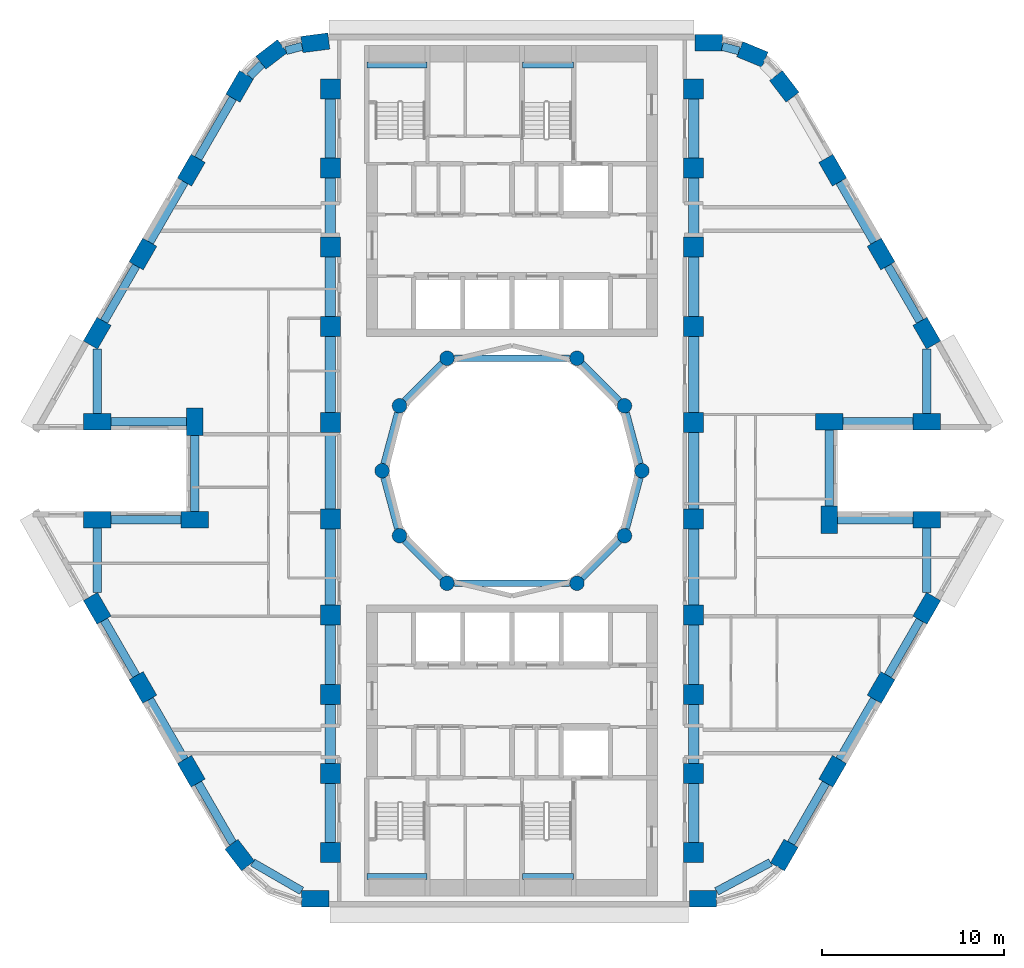
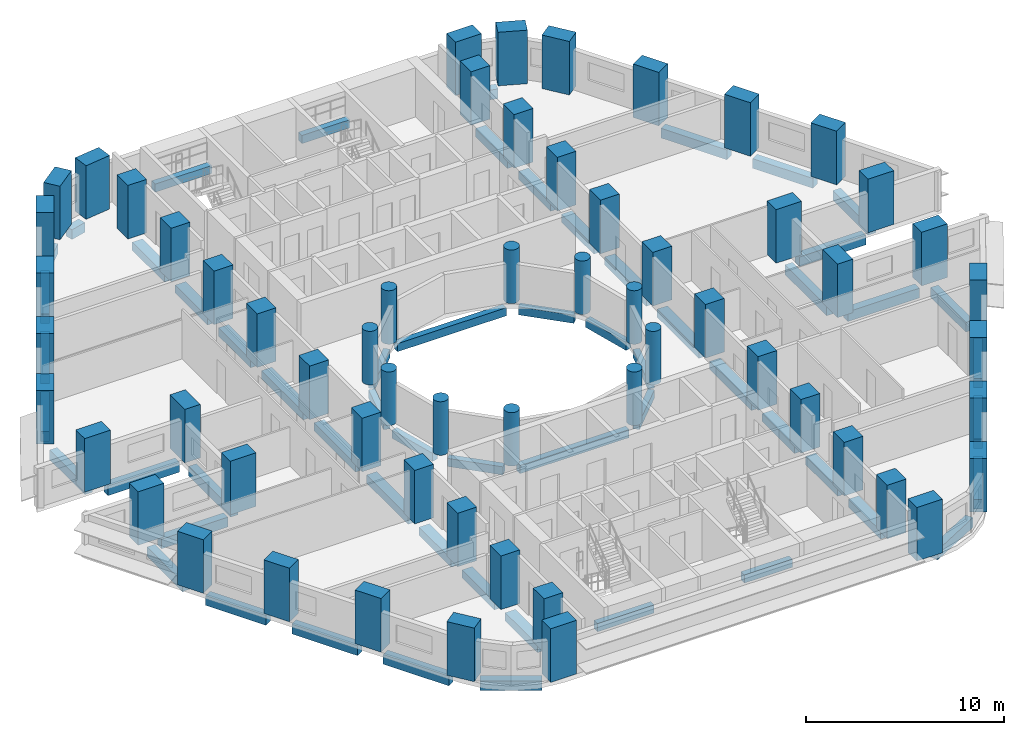
# One storey, part 1 of 12: 60 columns, 58 beams.
"""IFC4 building model written with IfcOpenShell, lengths in metres."""

from ifc_helpers import new_model, si_unit, direction, frame, origin, origin_2d, place, context, subcontext, project, spatial, rectangle, circle, extrude, material, material_profile, profile_set, type_object, element, save


model = new_model("IFC4")

# Units and contexts
model_context = context("Model", 3, precision=1e-05, world=origin(), true_north=direction((0.0, 1.0)))
body_context = subcontext(model_context, "Body", "Model", "MODEL_VIEW")
ifc_project = project(units=[si_unit("LENGTHUNIT", "METRE"), si_unit("AREAUNIT", "SQUARE_METRE"), si_unit("VOLUMEUNIT", "CUBIC_METRE"), si_unit("PLANEANGLEUNIT", "RADIAN"), si_unit("MASSUNIT", "GRAM", prefix="KILO")], contexts=[model_context])

# Site, building, storey
site_placement = place(None, origin())
site = spatial("IfcSite", under=ifc_project, at=site_placement, CompositionType="ELEMENT")
building_placement = place(site_placement, origin())
building = spatial("IfcBuilding", under=site, at=building_placement, Name="Nakaniwa Court", CompositionType="ELEMENT")
storey_placement = place(building_placement, frame((0.0, 0.0, 57.89990234375)))
storey = spatial("IfcBuildingStorey", under=building, at=storey_placement, Name="L15", CompositionType="ELEMENT", Elevation=57.89990234375)

# Columns
ifc_material_1 = material(Name="Concrete C100/115", Category="concrete")
ifc_material_profile_1 = material_profile(ifc_material_1, rectangle(XDim=1.10009765625, YDim=1.10009765625, at=origin_2d()), Name="Concrete C100/115 RC 1100x1100 spine column")
ifc_profile_set_1 = profile_set([ifc_material_profile_1], Name="Concrete C100/115")
column_type_1 = type_object("IfcColumnType", Name="Concrete C100/115 RC 1100x1100 spine column", PredefinedType="COLUMN", material=ifc_profile_set_1)
for number, where, z_axis, x_axis, name in (
    (1, (90.0, 59.0, 0.0), (0.0, 0.0, 1.0), (0.0, 1.0, 0.0), "COLUMN CS-01"),
    (2, (90.0, 63.35009765625, 0.0), (0.0, 0.0, 1.0), (0.0, 1.0, 0.0), "COLUMN CS-02"),
    (3, (90.0, 67.699951171875, 0.0), (0.0, 0.0, 1.0), (0.0, 1.0, 0.0), "COLUMN CS-03"),
    (4, (90.0, 72.050048828125, 0.0), (0.0, 0.0, 1.0), (0.0, 1.0, 0.0), "COLUMN CS-04"),
    (5, (90.0, 77.35009765625, 0.0), (0.0, 0.0, 1.0), (0.0, 1.0, 0.0), "COLUMN CS-05"),
    (6, (90.0, 82.64990234375, 0.0), (0.0, 0.0, 1.0), (0.0, 1.0, 0.0), "COLUMN CS-06"),
    (7, (90.0, 87.949951171875, 0.0), (0.0, 0.0, 1.0), (0.0, 1.0, 0.0), "COLUMN CS-07"),
    (8, (90.0, 92.300048828125, 0.0), (0.0, 0.0, 1.0), (0.0, 1.0, 0.0), "COLUMN CS-08"),
    (9, (90.0, 96.64990234375, 0.0), (0.0, 0.0, 1.0), (0.0, 1.0, 0.0), "COLUMN CS-09"),
    (10, (90.0, 101.0, 0.0), (0.0, 0.0, 1.0), (0.0, 1.0, 0.0), "COLUMN CS-10"),
    (11, (70.0, 101.0, 0.0), (0.0, 0.0, 1.0), (0.0, -1.0, 0.0), "COLUMN CS-11"),
    (12, (70.0, 96.64990234375, 0.0), (0.0, 0.0, 1.0), (0.0, -1.0, 0.0), "COLUMN CS-12"),
    (13, (70.0, 92.300048828125, 0.0), (0.0, 0.0, 1.0), (0.0, -1.0, 0.0), "COLUMN CS-13"),
    (14, (70.0, 87.949951171875, 0.0), (0.0, 0.0, 1.0), (0.0, -1.0, 0.0), "COLUMN CS-14"),
    (15, (70.0, 82.64990234375, 0.0), (0.0, 0.0, 1.0), (0.0, -1.0, 0.0), "COLUMN CS-15"),
    (16, (70.0, 77.35009765625, 0.0), (0.0, 0.0, 1.0), (0.0, -1.0, 0.0), "COLUMN CS-16"),
    (17, (70.0, 72.050048828125, 0.0), (0.0, 0.0, 1.0), (0.0, -1.0, 0.0), "COLUMN CS-17"),
    (18, (70.0, 67.699951171875, 0.0), (0.0, 0.0, 1.0), (0.0, -1.0, 0.0), "COLUMN CS-18"),
    (19, (70.0, 63.35009765625, 0.0), (0.0, 0.0, 1.0), (0.0, -1.0, 0.0), "COLUMN CS-19"),
    (20, (70.0, 59.0, 0.0), (0.0, 0.0, 1.0), (0.0, -1.0, 0.0), "COLUMN CS-20"),
):
    element("IfcColumn", number, at=place(storey_placement, frame(where, z_axis=z_axis, x_axis=x_axis)), inside=storey, type_object=column_type_1, Name=name, PredefinedType="COLUMN", context=body_context, shape_type="SweptSolid", body=[
        extrude(rectangle(XDim=1.10009765625, YDim=1.10009765625, at=origin_2d()), origin(), (0.0, 0.0, 1.0), 3.300048828125),
    ])
ifc_material_profile_2 = material_profile(ifc_material_1, rectangle(XDim=1.5, YDim=0.89990234375, at=origin_2d()), Name="Concrete C100/115 RC 1500x900 perimeter column")
ifc_profile_set_2 = profile_set([ifc_material_profile_2], Name="Concrete C100/115")
column_type_2 = type_object("IfcColumnType", Name="Concrete C100/115 RC 1500x900 perimeter column", PredefinedType="COLUMN", material=ifc_profile_set_2)
for number, where, z_axis, x_axis, name in (
    (21, (69.17529296875, 103.550048828125, 0.0), (0.0, 0.0, 1.0), (-0.991442583111, -0.130543496177, 0.0), "COLUMN CO-01"),
    (22, (66.772705078125, 102.91015625, 0.0), (0.0, 0.0, 1.0), (-0.793363965062, -0.608747582288, 0.0), "COLUMN CO-02"),
    (23, (65.017578125, 101.1494140625, 0.0), (0.0, 0.0, 1.0), (-0.5, -0.866025403784, 0.0), "COLUMN CO-03"),
    (24, (62.3544921875, 96.537109375, 0.0), (0.0, 0.0, 1.0), (-0.5, -0.866025403784, 0.0), "COLUMN CO-04"),
    (25, (59.691650390625, 91.9248046875, 0.0), (0.0, 0.0, 1.0), (-0.5, -0.866025403784, 0.0), "COLUMN CO-05"),
    (26, (57.177001953125, 87.569580078125, 0.0), (0.0, 0.0, 1.0), (-0.5, -0.866025403784, 0.0), "COLUMN CO-06"),
    (27, (57.177001953125, 82.699951171875, 0.0), (0.0, 0.0, 1.0), (1.0, 0.0, 0.0), "COLUMN CO-08"),
    (28, (62.54150390625, 82.699951171875, 0.0), (0.0, 0.0, 1.0), (0.0, -1.0, 0.0), "COLUMN CO-09"),
    (29, (62.54150390625, 77.300048828125, 0.0), (0.0, 0.0, 1.0), (-1.0, 0.0, 0.0), "COLUMN CO-10"),
    (30, (57.177001953125, 77.300048828125, 0.0), (0.0, 0.0, 1.0), (-1.0, 0.0, 0.0), "COLUMN CO-11"),
    (31, (57.177001953125, 72.430419921875, 0.0), (0.0, 0.0, 1.0), (0.5, -0.866025403784, 0.0), "COLUMN CO-13"),
    (32, (59.691650390625, 68.0751953125, 0.0), (0.0, 0.0, 1.0), (0.5, -0.866025403784, 0.0), "COLUMN CO-14"),
    (33, (62.3544921875, 63.462890625, 0.0), (0.0, 0.0, 1.0), (0.5, -0.866025403784, 0.0), "COLUMN CO-15"),
    (34, (65.017578125, 58.8505859375, 0.0), (0.0, 0.0, 1.0), (0.608761429009, -0.793353340291, 0.0), "COLUMN CO-16"),
    (35, (69.17529296875, 56.449951171875, 0.0), (0.0, 0.0, 1.0), (1.0, 0.0, 0.0), "COLUMN CO-17"),
    (36, (90.507080078125, 56.449951171875, 0.0), (0.0, 0.0, 1.0), (1.0, 0.0, 0.0), "COLUMN CO-21"),
    (37, (94.982421875, 58.8505859375, 0.0), (0.0, 0.0, 1.0), (0.5, 0.866025403784, 0.0), "COLUMN CO-22"),
    (38, (97.6455078125, 63.462890625, 0.0), (0.0, 0.0, 1.0), (0.5, 0.866025403784, 0.0), "COLUMN CO-23"),
    (39, (100.308349609375, 68.0751953125, 0.0), (0.0, 0.0, 1.0), (0.5, 0.866025403784, 0.0), "COLUMN CO-24"),
    (40, (102.822998046875, 72.430419921875, 0.0), (0.0, 0.0, 1.0), (0.5, 0.866025403784, 0.0), "COLUMN CO-25"),
    (41, (102.822998046875, 77.300048828125, 0.0), (0.0, 0.0, 1.0), (-1.0, 0.0, 0.0), "COLUMN CO-27"),
    (42, (97.45849609375, 77.300048828125, 0.0), (0.0, 0.0, 1.0), (0.0, 1.0, 0.0), "COLUMN CO-28"),
    (43, (97.45849609375, 82.699951171875, 0.0), (0.0, 0.0, 1.0), (1.0, 0.0, 0.0), "COLUMN CO-29"),
    (44, (102.822998046875, 82.699951171875, 0.0), (0.0, 0.0, 1.0), (1.0, 0.0, 0.0), "COLUMN CO-30"),
    (45, (102.822998046875, 87.569580078125, 0.0), (0.0, 0.0, 1.0), (-0.5, 0.866025403784, 0.0), "COLUMN CO-32"),
    (46, (100.308349609375, 91.9248046875, 0.0), (0.0, 0.0, 1.0), (-0.5, 0.866025403784, 0.0), "COLUMN CO-33"),
    (47, (97.6455078125, 96.537109375, 0.0), (0.0, 0.0, 1.0), (-0.5, 0.866025403784, 0.0), "COLUMN CO-34"),
    (48, (94.982421875, 101.1494140625, 0.0), (0.0, 0.0, 1.0), (-0.608761429009, 0.793353340291, 0.0), "COLUMN CO-35"),
    (49, (93.227294921875, 102.91015625, 0.0), (0.0, 0.0, 1.0), (-0.923879532511, 0.382683432365, 0.0), "COLUMN CO-36"),
    (50, (90.82470703125, 103.550048828125, 0.0), (0.0, 0.0, 1.0), (-1.0, 0.0, 0.0), "COLUMN CO-37"),
):
    element("IfcColumn", number, at=place(storey_placement, frame(where, z_axis=z_axis, x_axis=x_axis)), inside=storey, type_object=column_type_2, Name=name, PredefinedType="COLUMN", context=body_context, shape_type="SweptSolid", body=[
        extrude(rectangle(XDim=1.5, YDim=0.89990234375, at=origin_2d()), origin(), (0.0, 0.0, 1.0), 3.300048828125),
    ])
ifc_material_profile_3 = material_profile(ifc_material_1, circle(Radius=0.39990234375, at=origin_2d()), Name="Concrete C100/115 RC D800 inner ring column")
ifc_profile_set_3 = profile_set([ifc_material_profile_3], Name="Concrete C100/115")
column_type_3 = type_object("IfcColumnType", Name="Concrete C100/115 RC D800 inner ring column", PredefinedType="COLUMN", material=ifc_profile_set_3)
for number, where, z_axis, x_axis, name in (
    (51, (87.14990234375, 80.0, 0.0), (0.0, 0.0, 1.0), (0.0, 1.0, 0.0), "COLUMN CI-01"),
    (52, (86.192138671875, 83.574951171875, 0.0), (0.0, 0.0, 1.0), (-0.5, 0.866025403784, 0.0), "COLUMN CI-02"),
    (53, (83.574951171875, 86.192138671875, 0.0), (0.0, 0.0, 1.0), (-0.866025403784, 0.5, 0.0), "COLUMN CI-03"),
    (54, (76.425048828125, 86.192138671875, 0.0), (0.0, 0.0, 1.0), (-0.866025403784, -0.5, 0.0), "COLUMN CI-05"),
    (55, (73.807861328125, 83.574951171875, 0.0), (0.0, 0.0, 1.0), (-0.5, -0.866025403784, 0.0), "COLUMN CI-06"),
    (56, (72.85009765625, 80.0, 0.0), (0.0, 0.0, 1.0), (0.0, -1.0, 0.0), "COLUMN CI-07"),
    (57, (73.807861328125, 76.425048828125, 0.0), (0.0, 0.0, 1.0), (0.5, -0.866025403784, 0.0), "COLUMN CI-08"),
    (58, (76.425048828125, 73.807861328125, 0.0), (0.0, 0.0, 1.0), (0.866025403784, -0.5, 0.0), "COLUMN CI-09"),
    (59, (83.574951171875, 73.807861328125, 0.0), (0.0, 0.0, 1.0), (0.866025403784, 0.5, 0.0), "COLUMN CI-11"),
    (60, (86.192138671875, 76.425048828125, 0.0), (0.0, 0.0, 1.0), (0.5, 0.866025403784, 0.0), "COLUMN CI-12"),
):
    element("IfcColumn", number, at=place(storey_placement, frame(where, z_axis=z_axis, x_axis=x_axis)), inside=storey, type_object=column_type_3, Name=name, PredefinedType="COLUMN", context=body_context, shape_type="SweptSolid", body=[
        extrude(circle(Radius=0.39990234375, at=origin_2d()), origin(), (0.0, 0.0, 1.0), 3.300048828125),
    ])

# Beams
ifc_material_profile_4 = material_profile(ifc_material_1, rectangle(XDim=0.35009765625, YDim=0.5, at=origin_2d()), Name="Concrete C100/115 RC 350x500 ring beam")
ifc_profile_set_4 = profile_set([ifc_material_profile_4], Name="Concrete C100/115")
beam_type_1 = type_object("IfcBeamType", Name="Concrete C100/115 RC 350x500 ring beam", PredefinedType="BEAM", material=ifc_profile_set_4)
beam_1_placement = place(storey_placement, frame((87.04638671875, 80.386474609375, -0.52490234375), z_axis=(-0.258778150207, 0.965936783115, 0.0), x_axis=(-0.965936783115, -0.258778150207, 0.0)))
element("IfcBeam", 61, at=beam_1_placement, inside=storey, type_object=beam_type_1, Name="RING BEAM", PredefinedType="BEAM", context=body_context, shape_type="SweptSolid", body=[
    extrude(rectangle(XDim=0.35009765625, YDim=0.5, at=origin_2d()), origin(), (0.0, 0.0, 1.0), 2.901123046875),
])
beam_2_placement = place(storey_placement, frame((85.9091796875, 83.85791015625, -0.52490234375), z_axis=(-0.707106781187, 0.707106781187, 0.0), x_axis=(-0.707106781187, -0.707106781187, 0.0)))
element("IfcBeam", 62, at=beam_2_placement, inside=storey, type_object=beam_type_1, Name="RING BEAM", PredefinedType="BEAM", context=body_context, shape_type="SweptSolid", body=[
    extrude(rectangle(XDim=0.35009765625, YDim=0.5, at=origin_2d()), origin(), (0.0, 0.0, 1.0), 2.90087890625),
])
beam_3_placement = place(storey_placement, frame((83.175048828125, 86.192138671875, -0.52490234375), z_axis=(-1.0, 0.0, 0.0), x_axis=(0.0, -1.0, 0.0)))
element("IfcBeam", 63, at=beam_3_placement, inside=storey, type_object=beam_type_1, Name="RING BEAM", PredefinedType="BEAM", context=body_context, shape_type="SweptSolid", body=[
    extrude(rectangle(XDim=0.35009765625, YDim=0.5, at=origin_2d()), origin(), (0.0, 0.0, 1.0), 6.35009765625),
])
beam_4_placement = place(storey_placement, frame((76.14208984375, 85.9091796875, -0.52490234375), z_axis=(-0.707106781187, -0.707106781187, 0.0), x_axis=(0.707106781187, -0.707106781187, 0.0)))
element("IfcBeam", 64, at=beam_4_placement, inside=storey, type_object=beam_type_1, Name="RING BEAM", PredefinedType="BEAM", context=body_context, shape_type="SweptSolid", body=[
    extrude(rectangle(XDim=0.35009765625, YDim=0.5, at=origin_2d()), origin(), (0.0, 0.0, 1.0), 2.90087890625),
])
for number, where, z_axis, x_axis, name in (
    (65, (73.704345703125, 83.188720703125, -0.52490234375), (-0.258778150207, -0.965936783115, 0.0), (0.965936783115, -0.258778150207, 0.0), "RING BEAM"),
    (66, (72.95361328125, 79.613525390625, -0.52490234375), (0.258778150207, -0.965936783115, 0.0), (0.965936783115, 0.258778150207, 0.0), "RING BEAM"),
):
    element("IfcBeam", number, at=place(storey_placement, frame(where, z_axis=z_axis, x_axis=x_axis)), inside=storey, type_object=beam_type_1, Name=name, PredefinedType="BEAM", context=body_context, shape_type="SweptSolid", body=[
        extrude(rectangle(XDim=0.35009765625, YDim=0.5, at=origin_2d()), origin(), (0.0, 0.0, 1.0), 2.901123046875),
    ])
beam_5_placement = place(storey_placement, frame((74.0908203125, 76.14208984375, -0.52490234375), z_axis=(0.707106781187, -0.707106781187, 0.0), x_axis=(0.707106781187, 0.707106781187, 0.0)))
element("IfcBeam", 67, at=beam_5_placement, inside=storey, type_object=beam_type_1, Name="RING BEAM", PredefinedType="BEAM", context=body_context, shape_type="SweptSolid", body=[
    extrude(rectangle(XDim=0.35009765625, YDim=0.5, at=origin_2d()), origin(), (0.0, 0.0, 1.0), 2.90087890625),
])
beam_6_placement = place(storey_placement, frame((76.824951171875, 73.807861328125, -0.52490234375), z_axis=(1.0, 0.0, 0.0), x_axis=(0.0, 1.0, 0.0)))
element("IfcBeam", 68, at=beam_6_placement, inside=storey, type_object=beam_type_1, Name="RING BEAM", PredefinedType="BEAM", context=body_context, shape_type="SweptSolid", body=[
    extrude(rectangle(XDim=0.35009765625, YDim=0.5, at=origin_2d()), origin(), (0.0, 0.0, 1.0), 6.35009765625),
])
beam_7_placement = place(storey_placement, frame((83.85791015625, 74.0908203125, -0.52490234375), z_axis=(0.707106781187, 0.707106781187, 0.0), x_axis=(-0.707106781187, 0.707106781187, 0.0)))
element("IfcBeam", 69, at=beam_7_placement, inside=storey, type_object=beam_type_1, Name="RING BEAM", PredefinedType="BEAM", context=body_context, shape_type="SweptSolid", body=[
    extrude(rectangle(XDim=0.35009765625, YDim=0.5, at=origin_2d()), origin(), (0.0, 0.0, 1.0), 2.90087890625),
])
beam_8_placement = place(storey_placement, frame((86.295654296875, 76.811279296875, -0.52490234375), z_axis=(0.258778150207, 0.965936783115, 0.0), x_axis=(-0.965936783115, 0.258778150207, 0.0)))
element("IfcBeam", 70, at=beam_8_placement, inside=storey, type_object=beam_type_1, Name="RING BEAM", PredefinedType="BEAM", context=body_context, shape_type="SweptSolid", body=[
    extrude(rectangle(XDim=0.35009765625, YDim=0.5, at=origin_2d()), origin(), (0.0, 0.0, 1.0), 2.901123046875),
])
ifc_material_profile_5 = material_profile(ifc_material_1, rectangle(XDim=0.449951171875, YDim=0.60009765625, at=origin_2d()), Name="Concrete C100/115 RC 450x600 spandrel beam")
ifc_profile_set_5 = profile_set([ifc_material_profile_5], Name="Concrete C100/115")
beam_type_2 = type_object("IfcBeamType", Name="Concrete C100/115 RC 450x600 spandrel beam", PredefinedType="BEAM", material=ifc_profile_set_5)
beam_9_placement = place(storey_placement, frame((68.444580078125, 103.35546875, -0.574951171875), z_axis=(-0.966287893493, -0.25746399144, 0.0), x_axis=(0.25746399144, -0.966287893493, 0.0)))
element("IfcBeam", 71, at=beam_9_placement, inside=storey, type_object=beam_type_2, Name="SPANDREL BEAM", PredefinedType="BEAM", context=body_context, shape_type="SweptSolid", body=[
    extrude(rectangle(XDim=0.449951171875, YDim=0.60009765625, at=origin_2d()), origin(), (0.0, 0.0, 1.0), 0.91796875),
])
beam_10_placement = place(storey_placement, frame((66.238525390625, 102.374267578125, -0.574951171875), z_axis=(-0.706081618928, -0.708130459317, 0.0), x_axis=(0.708130459317, -0.706081618928, 0.0)))
element("IfcBeam", 72, at=beam_10_placement, inside=storey, type_object=beam_type_2, Name="SPANDREL BEAM", PredefinedType="BEAM", context=body_context, shape_type="SweptSolid", body=[
    extrude(rectangle(XDim=0.449951171875, YDim=0.60009765625, at=origin_2d()), origin(), (0.0, 0.0, 1.0), 0.953369140625),
])
beam_11_placement = place(storey_placement, frame((64.642578125, 100.5, -0.574951171875), z_axis=(-0.500009674092, -0.866019818373, 0.0), x_axis=(0.866019818373, -0.500009674092, 0.0)))
element("IfcBeam", 73, at=beam_11_placement, inside=storey, type_object=beam_type_2, Name="SPANDREL BEAM", PredefinedType="BEAM", context=body_context, shape_type="SweptSolid", body=[
    extrude(rectangle(XDim=0.449951171875, YDim=0.60009765625, at=origin_2d()), origin(), (0.0, 0.0, 1.0), 3.826171875),
])
beam_12_placement = place(storey_placement, frame((61.9794921875, 95.8876953125, -0.574951171875), z_axis=(-0.499961815444, -0.866047448526, 0.0), x_axis=(0.866047448526, -0.499961815444, 0.0)))
element("IfcBeam", 74, at=beam_12_placement, inside=storey, type_object=beam_type_2, Name="SPANDREL BEAM", PredefinedType="BEAM", context=body_context, shape_type="SweptSolid", body=[
    extrude(rectangle(XDim=0.449951171875, YDim=0.60009765625, at=origin_2d()), origin(), (0.0, 0.0, 1.0), 3.825927734375),
])
beam_13_placement = place(storey_placement, frame((59.316650390625, 91.275146484375, -0.574951171875), z_axis=(-0.500067800301, -0.865986255723, 0.0), x_axis=(0.865986255723, -0.500067800301, 0.0)))
element("IfcBeam", 75, at=beam_13_placement, inside=storey, type_object=beam_type_2, Name="SPANDREL BEAM", PredefinedType="BEAM", context=body_context, shape_type="SweptSolid", body=[
    extrude(rectangle(XDim=0.449951171875, YDim=0.60009765625, at=origin_2d()), origin(), (0.0, 0.0, 1.0), 3.52880859375),
])
beam_14_placement = place(storey_placement, frame((57.177001953125, 86.70361328125, -0.574951171875), z_axis=(0.0, -1.0, 0.0), x_axis=(1.0, 0.0, 0.0)))
element("IfcBeam", 76, at=beam_14_placement, inside=storey, type_object=beam_type_2, Name="SPANDREL BEAM", PredefinedType="BEAM", context=body_context, shape_type="SweptSolid", body=[
    extrude(rectangle(XDim=0.449951171875, YDim=0.60009765625, at=origin_2d()), origin(), (0.0, 0.0, 1.0), 3.5537109375),
])
beam_15_placement = place(storey_placement, frame((57.927001953125, 82.699951171875, -0.574951171875), z_axis=(1.0, 0.0, 0.0), x_axis=(0.0, 1.0, 0.0)))
element("IfcBeam", 77, at=beam_15_placement, inside=storey, type_object=beam_type_2, Name="SPANDREL BEAM", PredefinedType="BEAM", context=body_context, shape_type="SweptSolid", body=[
    extrude(rectangle(XDim=0.449951171875, YDim=0.60009765625, at=origin_2d()), origin(), (0.0, 0.0, 1.0), 4.16455078125),
])
beam_16_placement = place(storey_placement, frame((62.54150390625, 81.949951171875, -0.574951171875), z_axis=(0.0, -1.0, 0.0), x_axis=(1.0, 0.0, 0.0)))
element("IfcBeam", 78, at=beam_16_placement, inside=storey, type_object=beam_type_2, Name="SPANDREL BEAM", PredefinedType="BEAM", context=body_context, shape_type="SweptSolid", body=[
    extrude(rectangle(XDim=0.449951171875, YDim=0.60009765625, at=origin_2d()), origin(), (0.0, 0.0, 1.0), 4.199951171875),
])
beam_17_placement = place(storey_placement, frame((61.79150390625, 77.300048828125, -0.574951171875), z_axis=(-1.0, 0.0, 0.0), x_axis=(0.0, -1.0, 0.0)))
element("IfcBeam", 79, at=beam_17_placement, inside=storey, type_object=beam_type_2, Name="SPANDREL BEAM", PredefinedType="BEAM", context=body_context, shape_type="SweptSolid", body=[
    extrude(rectangle(XDim=0.449951171875, YDim=0.60009765625, at=origin_2d()), origin(), (0.0, 0.0, 1.0), 3.864501953125),
])
beam_18_placement = place(storey_placement, frame((57.177001953125, 76.85009765625, -0.574951171875), z_axis=(0.0, -1.0, 0.0), x_axis=(1.0, 0.0, 0.0)))
element("IfcBeam", 80, at=beam_18_placement, inside=storey, type_object=beam_type_2, Name="SPANDREL BEAM", PredefinedType="BEAM", context=body_context, shape_type="SweptSolid", body=[
    extrude(rectangle(XDim=0.449951171875, YDim=0.60009765625, at=origin_2d()), origin(), (0.0, 0.0, 1.0), 3.5537109375),
])
beam_19_placement = place(storey_placement, frame((57.552001953125, 71.78076171875, -0.574951171875), z_axis=(0.500067800301, -0.865986255723, 0.0), x_axis=(0.865986255723, 0.500067800301, 0.0)))
element("IfcBeam", 81, at=beam_19_placement, inside=storey, type_object=beam_type_2, Name="SPANDREL BEAM", PredefinedType="BEAM", context=body_context, shape_type="SweptSolid", body=[
    extrude(rectangle(XDim=0.449951171875, YDim=0.60009765625, at=origin_2d()), origin(), (0.0, 0.0, 1.0), 3.52880859375),
])
beam_20_placement = place(storey_placement, frame((60.066650390625, 67.42578125, -0.574951171875), z_axis=(0.499961815444, -0.866047448526, 0.0), x_axis=(0.866047448526, 0.499961815444, 0.0)))
element("IfcBeam", 82, at=beam_20_placement, inside=storey, type_object=beam_type_2, Name="SPANDREL BEAM", PredefinedType="BEAM", context=body_context, shape_type="SweptSolid", body=[
    extrude(rectangle(XDim=0.449951171875, YDim=0.60009765625, at=origin_2d()), origin(), (0.0, 0.0, 1.0), 3.825927734375),
])
beam_21_placement = place(storey_placement, frame((62.7294921875, 62.8134765625, -0.574951171875), z_axis=(0.500023067617, -0.86601208528, 0.0), x_axis=(0.86601208528, 0.500023067617, 0.0)))
element("IfcBeam", 83, at=beam_21_placement, inside=storey, type_object=beam_type_2, Name="SPANDREL BEAM", PredefinedType="BEAM", context=body_context, shape_type="SweptSolid", body=[
    extrude(rectangle(XDim=0.449951171875, YDim=0.60009765625, at=origin_2d()), origin(), (0.0, 0.0, 1.0), 3.819580078125),
])
beam_22_placement = place(storey_placement, frame((65.720458984375, 58.444580078125, -0.574951171875), z_axis=(0.866041096587, -0.499972818284, 0.0), x_axis=(0.499972818284, 0.866041096587, 0.0)))
element("IfcBeam", 84, at=beam_22_placement, inside=storey, type_object=beam_type_2, Name="SPANDREL BEAM", PredefinedType="BEAM", context=body_context, shape_type="SweptSolid", body=[
    extrude(rectangle(XDim=0.449951171875, YDim=0.60009765625, at=origin_2d()), origin(), (0.0, 0.0, 1.0), 3.123291015625),
])
beam_23_placement = place(storey_placement, frame((91.257080078125, 56.852294921875, -0.574951171875), z_axis=(0.881234537383, 0.472679267711, 0.0), x_axis=(-0.472679267711, 0.881234537383, 0.0)))
element("IfcBeam", 85, at=beam_23_placement, inside=storey, type_object=beam_type_2, Name="SPANDREL BEAM", PredefinedType="BEAM", context=body_context, shape_type="SweptSolid", body=[
    extrude(rectangle(XDim=0.449951171875, YDim=0.60009765625, at=origin_2d()), origin(), (0.0, 0.0, 1.0), 3.373291015625),
])
beam_24_placement = place(storey_placement, frame((95.357421875, 59.5, -0.574951171875), z_axis=(0.500009674092, 0.866019818373, 0.0), x_axis=(-0.866019818373, 0.500009674092, 0.0)))
element("IfcBeam", 86, at=beam_24_placement, inside=storey, type_object=beam_type_2, Name="SPANDREL BEAM", PredefinedType="BEAM", context=body_context, shape_type="SweptSolid", body=[
    extrude(rectangle(XDim=0.449951171875, YDim=0.60009765625, at=origin_2d()), origin(), (0.0, 0.0, 1.0), 3.826171875),
])
beam_25_placement = place(storey_placement, frame((98.0205078125, 64.1123046875, -0.574951171875), z_axis=(0.499961815444, 0.866047448526, 0.0), x_axis=(-0.866047448526, 0.499961815444, 0.0)))
element("IfcBeam", 87, at=beam_25_placement, inside=storey, type_object=beam_type_2, Name="SPANDREL BEAM", PredefinedType="BEAM", context=body_context, shape_type="SweptSolid", body=[
    extrude(rectangle(XDim=0.449951171875, YDim=0.60009765625, at=origin_2d()), origin(), (0.0, 0.0, 1.0), 3.825927734375),
])
beam_26_placement = place(storey_placement, frame((100.683349609375, 68.724853515625, -0.574951171875), z_axis=(0.500067800301, 0.865986255723, 0.0), x_axis=(-0.865986255723, 0.500067800301, 0.0)))
element("IfcBeam", 88, at=beam_26_placement, inside=storey, type_object=beam_type_2, Name="SPANDREL BEAM", PredefinedType="BEAM", context=body_context, shape_type="SweptSolid", body=[
    extrude(rectangle(XDim=0.449951171875, YDim=0.60009765625, at=origin_2d()), origin(), (0.0, 0.0, 1.0), 3.52880859375),
])
beam_27_placement = place(storey_placement, frame((102.822998046875, 73.29638671875, -0.574951171875), z_axis=(0.0, 1.0, 0.0), x_axis=(-1.0, 0.0, 0.0)))
element("IfcBeam", 89, at=beam_27_placement, inside=storey, type_object=beam_type_2, Name="SPANDREL BEAM", PredefinedType="BEAM", context=body_context, shape_type="SweptSolid", body=[
    extrude(rectangle(XDim=0.449951171875, YDim=0.60009765625, at=origin_2d()), origin(), (0.0, 0.0, 1.0), 3.5537109375),
])
beam_28_placement = place(storey_placement, frame((102.072998046875, 77.300048828125, -0.574951171875), z_axis=(-1.0, 0.0, 0.0), x_axis=(0.0, -1.0, 0.0)))
element("IfcBeam", 90, at=beam_28_placement, inside=storey, type_object=beam_type_2, Name="SPANDREL BEAM", PredefinedType="BEAM", context=body_context, shape_type="SweptSolid", body=[
    extrude(rectangle(XDim=0.449951171875, YDim=0.60009765625, at=origin_2d()), origin(), (0.0, 0.0, 1.0), 4.16455078125),
])
beam_29_placement = place(storey_placement, frame((97.45849609375, 78.050048828125, -0.574951171875), z_axis=(0.0, 1.0, 0.0), x_axis=(-1.0, 0.0, 0.0)))
element("IfcBeam", 91, at=beam_29_placement, inside=storey, type_object=beam_type_2, Name="SPANDREL BEAM", PredefinedType="BEAM", context=body_context, shape_type="SweptSolid", body=[
    extrude(rectangle(XDim=0.449951171875, YDim=0.60009765625, at=origin_2d()), origin(), (0.0, 0.0, 1.0), 4.199951171875),
])
beam_30_placement = place(storey_placement, frame((98.20849609375, 82.699951171875, -0.574951171875), z_axis=(1.0, 0.0, 0.0), x_axis=(0.0, 1.0, 0.0)))
element("IfcBeam", 92, at=beam_30_placement, inside=storey, type_object=beam_type_2, Name="SPANDREL BEAM", PredefinedType="BEAM", context=body_context, shape_type="SweptSolid", body=[
    extrude(rectangle(XDim=0.449951171875, YDim=0.60009765625, at=origin_2d()), origin(), (0.0, 0.0, 1.0), 3.864501953125),
])
beam_31_placement = place(storey_placement, frame((102.822998046875, 83.14990234375, -0.574951171875), z_axis=(0.0, 1.0, 0.0), x_axis=(-1.0, 0.0, 0.0)))
element("IfcBeam", 93, at=beam_31_placement, inside=storey, type_object=beam_type_2, Name="SPANDREL BEAM", PredefinedType="BEAM", context=body_context, shape_type="SweptSolid", body=[
    extrude(rectangle(XDim=0.449951171875, YDim=0.60009765625, at=origin_2d()), origin(), (0.0, 0.0, 1.0), 3.5537109375),
])
beam_32_placement = place(storey_placement, frame((102.447998046875, 88.21923828125, -0.574951171875), z_axis=(-0.500067800301, 0.865986255723, 0.0), x_axis=(-0.865986255723, -0.500067800301, 0.0)))
element("IfcBeam", 94, at=beam_32_placement, inside=storey, type_object=beam_type_2, Name="SPANDREL BEAM", PredefinedType="BEAM", context=body_context, shape_type="SweptSolid", body=[
    extrude(rectangle(XDim=0.449951171875, YDim=0.60009765625, at=origin_2d()), origin(), (0.0, 0.0, 1.0), 3.52880859375),
])
beam_33_placement = place(storey_placement, frame((99.933349609375, 92.57421875, -0.574951171875), z_axis=(-0.499961815444, 0.866047448526, 0.0), x_axis=(-0.866047448526, -0.499961815444, 0.0)))
element("IfcBeam", 95, at=beam_33_placement, inside=storey, type_object=beam_type_2, Name="SPANDREL BEAM", PredefinedType="BEAM", context=body_context, shape_type="SweptSolid", body=[
    extrude(rectangle(XDim=0.449951171875, YDim=0.60009765625, at=origin_2d()), origin(), (0.0, 0.0, 1.0), 3.825927734375),
])
beam_34_placement = place(storey_placement, frame((92.49609375, 103.10498046875, -0.574951171875), z_axis=(-0.966324126494, 0.257327966912, 0.0), x_axis=(-0.257327966912, -0.966324126494, 0.0)))
element("IfcBeam", 96, at=beam_34_placement, inside=storey, type_object=beam_type_2, Name="SPANDREL BEAM", PredefinedType="BEAM", context=body_context, shape_type="SweptSolid", body=[
    extrude(rectangle(XDim=0.449951171875, YDim=0.60009765625, at=origin_2d()), origin(), (0.0, 0.0, 1.0), 0.95361328125),
])
ifc_material_profile_6 = material_profile(ifc_material_1, rectangle(XDim=0.60009765625, YDim=0.5, at=origin_2d()), Name="Concrete C100/115 RC 600x500 ring beam")
ifc_profile_set_6 = profile_set([ifc_material_profile_6], Name="Concrete C100/115")
beam_type_3 = type_object("IfcBeamType", Name="Concrete C100/115 RC 600x500 ring beam", PredefinedType="BEAM", material=ifc_profile_set_6)
for number, where, z_axis, x_axis, name in (
    (97, (90.0, 59.550048828125, -0.52490234375), (0.0, 1.0, 0.0), (-1.0, 0.0, 0.0), "RING BEAM"),
    (98, (90.0, 63.89990234375, -0.52490234375), (0.0, 1.0, 0.0), (-1.0, 0.0, 0.0), "RING BEAM"),
    (99, (90.0, 68.25, -0.52490234375), (0.0, 1.0, 0.0), (-1.0, 0.0, 0.0), "RING BEAM"),
):
    element("IfcBeam", number, at=place(storey_placement, frame(where, z_axis=z_axis, x_axis=x_axis)), inside=storey, type_object=beam_type_3, Name=name, PredefinedType="BEAM", context=body_context, shape_type="SweptSolid", body=[
        extrude(rectangle(XDim=0.60009765625, YDim=0.5, at=origin_2d()), origin(), (0.0, 0.0, 1.0), 3.25),
    ])
beam_35_placement = place(storey_placement, frame((90.0, 72.60009765625, -0.52490234375), z_axis=(0.0, 1.0, 0.0), x_axis=(-1.0, 0.0, 0.0)))
element("IfcBeam", 100, at=beam_35_placement, inside=storey, type_object=beam_type_3, Name="RING BEAM", PredefinedType="BEAM", context=body_context, shape_type="SweptSolid", body=[
    extrude(rectangle(XDim=0.60009765625, YDim=0.5, at=origin_2d()), origin(), (0.0, 0.0, 1.0), 4.199951171875),
])
beam_36_placement = place(storey_placement, frame((90.0, 77.89990234375, -0.52490234375), z_axis=(0.0, 1.0, 0.0), x_axis=(-1.0, 0.0, 0.0)))
element("IfcBeam", 101, at=beam_36_placement, inside=storey, type_object=beam_type_3, Name="RING BEAM", PredefinedType="BEAM", context=body_context, shape_type="SweptSolid", body=[
    extrude(rectangle(XDim=0.60009765625, YDim=0.5, at=origin_2d()), origin(), (0.0, 0.0, 1.0), 4.2001953125),
])
beam_37_placement = place(storey_placement, frame((90.0, 83.199951171875, -0.52490234375), z_axis=(0.0, 1.0, 0.0), x_axis=(-1.0, 0.0, 0.0)))
element("IfcBeam", 102, at=beam_37_placement, inside=storey, type_object=beam_type_3, Name="RING BEAM", PredefinedType="BEAM", context=body_context, shape_type="SweptSolid", body=[
    extrude(rectangle(XDim=0.60009765625, YDim=0.5, at=origin_2d()), origin(), (0.0, 0.0, 1.0), 4.199951171875),
])
for number, where, z_axis, x_axis, name in (
    (103, (90.0, 88.5, -0.52490234375), (0.0, 1.0, 0.0), (-1.0, 0.0, 0.0), "RING BEAM"),
    (104, (90.0, 92.85009765625, -0.52490234375), (0.0, 1.0, 0.0), (-1.0, 0.0, 0.0), "RING BEAM"),
    (105, (90.0, 97.199951171875, -0.52490234375), (0.0, 1.0, 0.0), (-1.0, 0.0, 0.0), "RING BEAM"),
    (106, (70.0, 100.449951171875, -0.52490234375), (0.0, -1.0, 0.0), (1.0, 0.0, 0.0), "RING BEAM"),
    (107, (70.0, 96.10009765625, -0.52490234375), (0.0, -1.0, 0.0), (1.0, 0.0, 0.0), "RING BEAM"),
    (108, (70.0, 91.75, -0.52490234375), (0.0, -1.0, 0.0), (1.0, 0.0, 0.0), "RING BEAM"),
):
    element("IfcBeam", number, at=place(storey_placement, frame(where, z_axis=z_axis, x_axis=x_axis)), inside=storey, type_object=beam_type_3, Name=name, PredefinedType="BEAM", context=body_context, shape_type="SweptSolid", body=[
        extrude(rectangle(XDim=0.60009765625, YDim=0.5, at=origin_2d()), origin(), (0.0, 0.0, 1.0), 3.25),
    ])
beam_38_placement = place(storey_placement, frame((70.0, 87.39990234375, -0.52490234375), z_axis=(0.0, -1.0, 0.0), x_axis=(1.0, 0.0, 0.0)))
element("IfcBeam", 109, at=beam_38_placement, inside=storey, type_object=beam_type_3, Name="RING BEAM", PredefinedType="BEAM", context=body_context, shape_type="SweptSolid", body=[
    extrude(rectangle(XDim=0.60009765625, YDim=0.5, at=origin_2d()), origin(), (0.0, 0.0, 1.0), 4.199951171875),
])
beam_39_placement = place(storey_placement, frame((70.0, 82.10009765625, -0.52490234375), z_axis=(0.0, -1.0, 0.0), x_axis=(1.0, 0.0, 0.0)))
element("IfcBeam", 110, at=beam_39_placement, inside=storey, type_object=beam_type_3, Name="RING BEAM", PredefinedType="BEAM", context=body_context, shape_type="SweptSolid", body=[
    extrude(rectangle(XDim=0.60009765625, YDim=0.5, at=origin_2d()), origin(), (0.0, 0.0, 1.0), 4.2001953125),
])
beam_40_placement = place(storey_placement, frame((70.0, 76.800048828125, -0.52490234375), z_axis=(0.0, -1.0, 0.0), x_axis=(1.0, 0.0, 0.0)))
element("IfcBeam", 111, at=beam_40_placement, inside=storey, type_object=beam_type_3, Name="RING BEAM", PredefinedType="BEAM", context=body_context, shape_type="SweptSolid", body=[
    extrude(rectangle(XDim=0.60009765625, YDim=0.5, at=origin_2d()), origin(), (0.0, 0.0, 1.0), 4.199951171875),
])
for number, where, z_axis, x_axis, name in (
    (112, (70.0, 71.5, -0.52490234375), (0.0, -1.0, 0.0), (1.0, 0.0, 0.0), "RING BEAM"),
    (113, (70.0, 67.14990234375, -0.52490234375), (0.0, -1.0, 0.0), (1.0, 0.0, 0.0), "RING BEAM"),
    (114, (70.0, 62.800048828125, -0.52490234375), (0.0, -1.0, 0.0), (1.0, 0.0, 0.0), "RING BEAM"),
):
    element("IfcBeam", number, at=place(storey_placement, frame(where, z_axis=z_axis, x_axis=x_axis)), inside=storey, type_object=beam_type_3, Name=name, PredefinedType="BEAM", context=body_context, shape_type="SweptSolid", body=[
        extrude(rectangle(XDim=0.60009765625, YDim=0.5, at=origin_2d()), origin(), (0.0, 0.0, 1.0), 3.25),
    ])
ifc_material_2 = material(Name="Concrete C80/100", Category="concrete")
ifc_material_profile_7 = material_profile(ifc_material_2, rectangle(XDim=0.35009765625, YDim=0.5, at=origin_2d()), Name="Concrete C80/100 RC 350x500 landing ledge beam")
ifc_profile_set_7 = profile_set([ifc_material_profile_7], Name="Concrete C80/100")
beam_type_4 = type_object("IfcBeamType", Name="Concrete C80/100 RC 350x500 landing ledge beam", PredefinedType="BEAM", material=ifc_profile_set_7)
beam_41_placement = place(storey_placement, frame((72.02490234375, 102.324951171875, 1.2001953125), z_axis=(1.0, 0.0, 0.0), x_axis=(0.0, 1.0, 0.0)))
element("IfcBeam", 115, at=beam_41_placement, inside=storey, type_object=beam_type_4, Name="LANDING LEDGE BEAM", PredefinedType="BEAM", context=body_context, shape_type="SweptSolid", body=[
    extrude(rectangle(XDim=0.35009765625, YDim=0.5, at=origin_2d()), origin(), (0.0, 0.0, 1.0), 3.300048828125),
])
beam_42_placement = place(storey_placement, frame((80.574951171875, 102.324951171875, 1.2001953125), z_axis=(1.0, 0.0, 0.0), x_axis=(0.0, 1.0, 0.0)))
element("IfcBeam", 116, at=beam_42_placement, inside=storey, type_object=beam_type_4, Name="LANDING LEDGE BEAM", PredefinedType="BEAM", context=body_context, shape_type="SweptSolid", body=[
    extrude(rectangle(XDim=0.35009765625, YDim=0.5, at=origin_2d()), origin(), (0.0, 0.0, 1.0), 2.800048828125),
])
beam_43_placement = place(storey_placement, frame((72.02490234375, 57.675048828125, 1.2001953125), z_axis=(1.0, 0.0, 0.0), x_axis=(0.0, 1.0, 0.0)))
element("IfcBeam", 117, at=beam_43_placement, inside=storey, type_object=beam_type_4, Name="LANDING LEDGE BEAM", PredefinedType="BEAM", context=body_context, shape_type="SweptSolid", body=[
    extrude(rectangle(XDim=0.35009765625, YDim=0.5, at=origin_2d()), origin(), (0.0, 0.0, 1.0), 3.300048828125),
])
beam_44_placement = place(storey_placement, frame((80.574951171875, 57.675048828125, 1.2001953125), z_axis=(1.0, 0.0, 0.0), x_axis=(0.0, 1.0, 0.0)))
element("IfcBeam", 118, at=beam_44_placement, inside=storey, type_object=beam_type_4, Name="LANDING LEDGE BEAM", PredefinedType="BEAM", context=body_context, shape_type="SweptSolid", body=[
    extrude(rectangle(XDim=0.35009765625, YDim=0.5, at=origin_2d()), origin(), (0.0, 0.0, 1.0), 2.800048828125),
])

save(model, "model.ifc")
